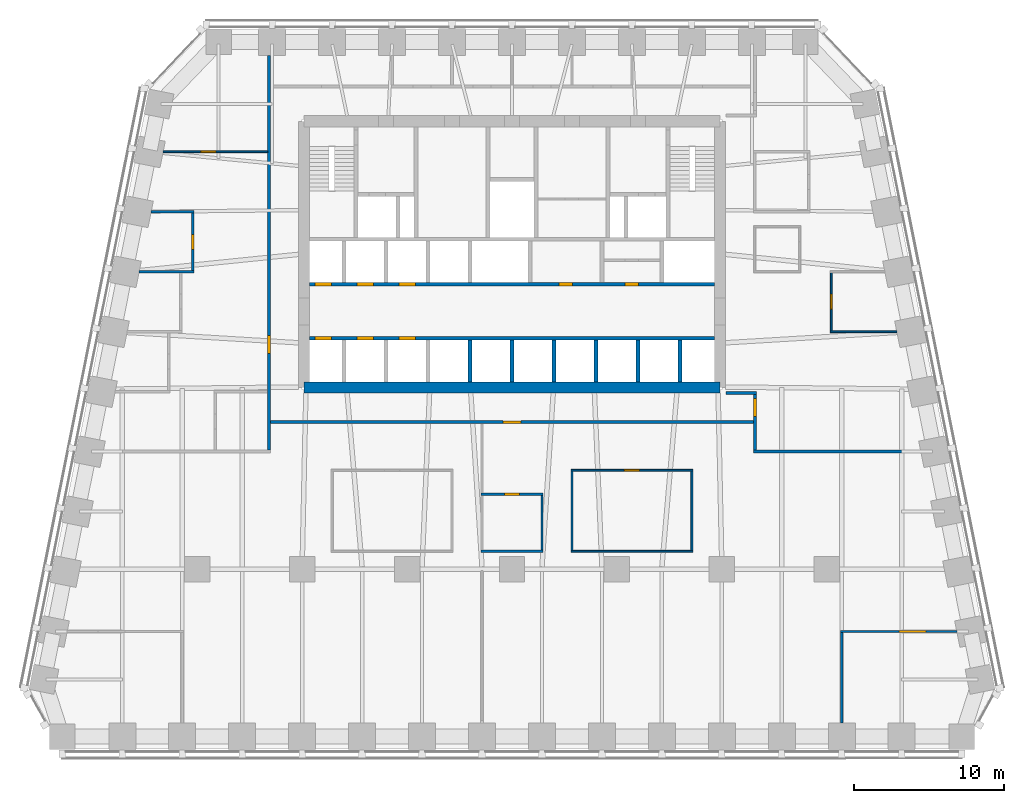
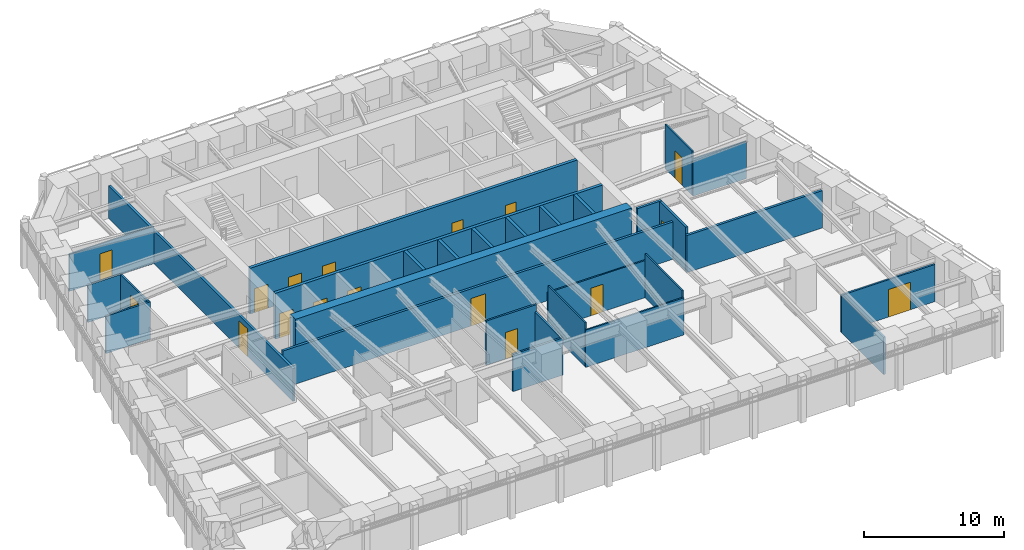
# One storey, part 6 of 10: 29 walls, 17 doors, 17 openings.
"""IFC4 building model written with IfcOpenShell, lengths in metres."""

from ifc_helpers import new_model, si_unit, direction, frame, frame_2d, origin, place, context, subcontext, project, spatial, rectangle, extrude, material, layer, layer_set, type_object, element, fill, save


model = new_model("IFC4")

# Units and contexts
model_context = context("Model", 3, precision=1e-05, world=origin(), true_north=direction((0.0, 1.0)))
body_context = subcontext(model_context, "Body", "Model", "MODEL_VIEW")
ifc_project = project(units=[si_unit("LENGTHUNIT", "METRE"), si_unit("AREAUNIT", "SQUARE_METRE"), si_unit("VOLUMEUNIT", "CUBIC_METRE"), si_unit("PLANEANGLEUNIT", "RADIAN"), si_unit("MASSUNIT", "GRAM", prefix="KILO")], contexts=[model_context])

# Site, building, storey
site_placement = place(None, origin())
site = spatial("IfcSite", under=ifc_project, at=site_placement, CompositionType="ELEMENT")
building_placement = place(site_placement, origin())
building = spatial("IfcBuilding", under=site, at=building_placement, Name="Isbrekke Arena Tower", CompositionType="ELEMENT")
storey_placement = place(building_placement, frame((0.0, 0.0, 119.0)))
storey = spatial("IfcBuildingStorey", under=building, at=storey_placement, Name="L26", CompositionType="ELEMENT", Elevation=119.0)

# Wall
ifc_material_1 = material(Name="Concrete B55 (C55/67)", Category="concrete")
ifc_layer_1 = layer(ifc_material_1, 0.75)
ifc_layer_set_1 = layer_set([ifc_layer_1], Name="CW3 CORE WALL 750")
wall_type_1 = type_object("IfcWallType", Name="CW3 CORE WALL 750", PredefinedType="SHEAR", material=ifc_layer_set_1)
wall_1_placement = place(storey_placement, frame((-13.875, 6.125, 0.0), z_axis=(0.0, 0.0, 1.0), x_axis=(1.0, 0.0, 0.0)))
element("IfcWall", 1, at=wall_1_placement, inside=storey, type_object=wall_type_1, Name="Core wall S L26", PredefinedType="SHEAR", context=body_context, shape_type="SweptSolid", body=[
    extrude(rectangle(XDim=27.75, YDim=0.75, at=frame_2d((13.875, 0.0))), origin(), (0.0, 0.0, 1.0), 4.0),
])

# Wall, openings, doors
ifc_material_2 = material(Name="Concrete B45 (C45/55)", Category="concrete")
ifc_layer_2 = layer(ifc_material_2, 0.25)
ifc_layer_set_2 = layer_set([ifc_layer_2], Name="CW6 SHAFT WALL 250")
wall_type_2 = type_object("IfcWallType", Name="CW6 SHAFT WALL 250", PredefinedType="SHEAR", material=ifc_layer_set_2)
wall_2_placement = place(storey_placement, frame((-13.5, 9.39990234375, 0.0), z_axis=(0.0, 0.0, 1.0), x_axis=(1.0, 0.0, 0.0)))
wall_2 = element("IfcWall", 2, at=wall_2_placement, inside=storey, type_object=wall_type_2, Name="Core wall LS L26", PredefinedType="SHEAR", context=body_context, shape_type="SweptSolid", body=[
    extrude(rectangle(XDim=27.0, YDim=0.25, at=frame_2d((13.5, 0.0))), origin(), (0.0, 0.0, 1.0), 4.0),
])
opening_1_placement = place(wall_2_placement, frame((0.35009765625, 0.0, 0.0)))
opening_1 = element("IfcOpeningElement", 3, at=opening_1_placement, cuts=wall_2, Name="Opening LD1", PredefinedType="OPENING", context=body_context, shape_type="SweptSolid", body=[
    extrude(rectangle(XDim=1.10009765625, YDim=2.10009765625, at=frame_2d((0.550048828125, 1.050048828125))), frame((0.0, 0.139892578125, 0.0), z_axis=(0.0, -1.0, 0.0), x_axis=(1.0, 0.0, 0.0)), (0.0, 0.0, 1.0), 0.27978515625),
])
opening_2_placement = place(wall_2_placement, frame((3.14990234375, 0.0, 0.0)))
opening_2 = element("IfcOpeningElement", 4, at=opening_2_placement, cuts=wall_2, Name="Opening LD1", PredefinedType="OPENING", context=body_context, shape_type="SweptSolid", body=[
    extrude(rectangle(XDim=1.10009765625, YDim=2.10009765625, at=frame_2d((0.550048828125, 1.050048828125))), frame((0.0, 0.139892578125, 0.0), z_axis=(0.0, -1.0, 0.0), x_axis=(1.0, 0.0, 0.0)), (0.0, 0.0, 1.0), 0.27978515625),
])
opening_3_placement = place(wall_2_placement, frame((5.949951171875, 0.0, 0.0)))
opening_3 = element("IfcOpeningElement", 5, at=opening_3_placement, cuts=wall_2, Name="Opening LD1", PredefinedType="OPENING", context=body_context, shape_type="SweptSolid", body=[
    extrude(rectangle(XDim=1.10009765625, YDim=2.10009765625, at=frame_2d((0.550048828125, 1.050048828125))), frame((0.0, 0.139892578125, 0.0), z_axis=(0.0, -1.0, 0.0), x_axis=(1.0, 0.0, 0.0)), (0.0, 0.0, 1.0), 0.27978515625),
])
ifc_material_3 = material(Name="Stainless steel lift landing door", Category="steel")
door_type_1 = type_object("IfcDoorType", Name="LD1 LIFT LANDING DOOR 1100 x 2100", OperationType="SLIDING_TO_LEFT", PredefinedType="DOOR", material=ifc_material_3)
door_1_placement = place(opening_1_placement, origin())
door_1 = element("IfcDoor", 6, at=door_1_placement, inside=storey, type_object=door_type_1, Name="LD1 lift landing door LB L26", OperationType="SLIDING_TO_LEFT", OverallHeight=2.10009765625, OverallWidth=1.10009765625, PredefinedType="DOOR", context=body_context, shape_type="SweptSolid", body=[
    extrude(rectangle(XDim=1.10009765625, YDim=2.10009765625, at=frame_2d((0.550048828125, 1.050048828125))), frame((0.0, 0.124755859375, 0.0), z_axis=(0.0, -1.0, 0.0), x_axis=(1.0, 0.0, 0.0)), (0.0, 0.0, 1.0), 0.24951171875),
])
fill(opening_1, door_1)
door_2_placement = place(opening_2_placement, origin())
door_2 = element("IfcDoor", 7, at=door_2_placement, inside=storey, type_object=door_type_1, Name="LD1 lift landing door LB L26", OperationType="SLIDING_TO_LEFT", OverallHeight=2.10009765625, OverallWidth=1.10009765625, PredefinedType="DOOR", context=body_context, shape_type="SweptSolid", body=[
    extrude(rectangle(XDim=1.10009765625, YDim=2.10009765625, at=frame_2d((0.550048828125, 1.050048828125))), frame((0.0, 0.124755859375, 0.0), z_axis=(0.0, -1.0, 0.0), x_axis=(1.0, 0.0, 0.0)), (0.0, 0.0, 1.0), 0.24951171875),
])
fill(opening_2, door_2)
door_3_placement = place(opening_3_placement, origin())
door_3 = element("IfcDoor", 8, at=door_3_placement, inside=storey, type_object=door_type_1, Name="LD1 lift landing door LB L26", OperationType="SLIDING_TO_LEFT", OverallHeight=2.10009765625, OverallWidth=1.10009765625, PredefinedType="DOOR", context=body_context, shape_type="SweptSolid", body=[
    extrude(rectangle(XDim=1.10009765625, YDim=2.10009765625, at=frame_2d((0.550048828125, 1.050048828125))), frame((0.0, 0.124755859375, 0.0), z_axis=(0.0, -1.0, 0.0), x_axis=(1.0, 0.0, 0.0)), (0.0, 0.0, 1.0), 0.24951171875),
])
fill(opening_3, door_3)

wall_3_placement = place(storey_placement, frame((-13.5, 13.0, 0.0), z_axis=(0.0, 0.0, 1.0), x_axis=(1.0, 0.0, 0.0)))
wall_3 = element("IfcWall", 9, at=wall_3_placement, inside=storey, type_object=wall_type_2, Name="Core wall LN L26", PredefinedType="SHEAR", context=body_context, shape_type="SweptSolid", body=[
    extrude(rectangle(XDim=27.0, YDim=0.25, at=frame_2d((13.5, 0.0))), origin(), (0.0, 0.0, 1.0), 4.0),
])
opening_4_placement = place(wall_3_placement, frame((0.35009765625, 0.0, 0.0)))
opening_4 = element("IfcOpeningElement", 10, at=opening_4_placement, cuts=wall_3, Name="Opening LD1", PredefinedType="OPENING", context=body_context, shape_type="SweptSolid", body=[
    extrude(rectangle(XDim=1.10009765625, YDim=2.10009765625, at=frame_2d((0.550048828125, 1.050048828125))), frame((0.0, 0.139892578125, 0.0), z_axis=(0.0, -1.0, 0.0), x_axis=(1.0, 0.0, 0.0)), (0.0, 0.0, 1.0), 0.27978515625),
])
opening_5_placement = place(wall_3_placement, frame((3.14990234375, 0.0, 0.0)))
opening_5 = element("IfcOpeningElement", 11, at=opening_5_placement, cuts=wall_3, Name="Opening LD1", PredefinedType="OPENING", context=body_context, shape_type="SweptSolid", body=[
    extrude(rectangle(XDim=1.10009765625, YDim=2.10009765625, at=frame_2d((0.550048828125, 1.050048828125))), frame((0.0, 0.139892578125, 0.0), z_axis=(0.0, -1.0, 0.0), x_axis=(1.0, 0.0, 0.0)), (0.0, 0.0, 1.0), 0.27978515625),
])
opening_6_placement = place(wall_3_placement, frame((5.949951171875, 0.0, 0.0)))
opening_6 = element("IfcOpeningElement", 12, at=opening_6_placement, cuts=wall_3, Name="Opening LD1", PredefinedType="OPENING", context=body_context, shape_type="SweptSolid", body=[
    extrude(rectangle(XDim=1.10009765625, YDim=2.10009765625, at=frame_2d((0.550048828125, 1.050048828125))), frame((0.0, 0.139892578125, 0.0), z_axis=(0.0, -1.0, 0.0), x_axis=(1.0, 0.0, 0.0)), (0.0, 0.0, 1.0), 0.27978515625),
])
opening_7_placement = place(wall_3_placement, frame((16.64990234375, 0.0, 0.0)))
opening_7 = element("IfcOpeningElement", 13, at=opening_7_placement, cuts=wall_3, Name="Opening D5", PredefinedType="OPENING", context=body_context, shape_type="SweptSolid", body=[
    extrude(rectangle(XDim=0.89990234375, YDim=2.10009765625, at=frame_2d((0.449951171875, 1.050048828125))), frame((0.0, 0.139892578125, 0.0), z_axis=(0.0, -1.0, 0.0), x_axis=(1.0, 0.0, 0.0)), (0.0, 0.0, 1.0), 0.27978515625),
])
opening_8_placement = place(wall_3_placement, frame((21.050048828125, 0.0, 0.0)))
opening_8 = element("IfcOpeningElement", 14, at=opening_8_placement, cuts=wall_3, Name="Opening D5", PredefinedType="OPENING", context=body_context, shape_type="SweptSolid", body=[
    extrude(rectangle(XDim=0.89990234375, YDim=2.10009765625, at=frame_2d((0.449951171875, 1.050048828125))), frame((0.0, 0.139892578125, 0.0), z_axis=(0.0, -1.0, 0.0), x_axis=(1.0, 0.0, 0.0)), (0.0, 0.0, 1.0), 0.27978515625),
])
ifc_material_4 = material(Name="Steel fire door", Category="steel")
door_type_2 = type_object("IfcDoorType", Name="D5 SERVICE DOOR 900 x 2100", OperationType="SINGLE_SWING_LEFT", PredefinedType="DOOR", material=ifc_material_4)
door_4_placement = place(opening_7_placement, origin())
door_4 = element("IfcDoor", 15, at=door_4_placement, inside=storey, type_object=door_type_2, Name="D5 cleaner's store door L26", OperationType="SINGLE_SWING_LEFT", OverallHeight=2.10009765625, OverallWidth=0.89990234375, PredefinedType="DOOR", context=body_context, shape_type="SweptSolid", body=[
    extrude(rectangle(XDim=0.89990234375, YDim=2.10009765625, at=frame_2d((0.449951171875, 1.050048828125))), frame((0.0, 0.124755859375, 0.0), z_axis=(0.0, -1.0, 0.0), x_axis=(1.0, 0.0, 0.0)), (0.0, 0.0, 1.0), 0.24951171875),
])
fill(opening_7, door_4)
door_5_placement = place(opening_8_placement, origin())
door_5 = element("IfcDoor", 16, at=door_5_placement, inside=storey, type_object=door_type_2, Name="D5 communications room door L26", OperationType="SINGLE_SWING_LEFT", OverallHeight=2.10009765625, OverallWidth=0.89990234375, PredefinedType="DOOR", context=body_context, shape_type="SweptSolid", body=[
    extrude(rectangle(XDim=0.89990234375, YDim=2.10009765625, at=frame_2d((0.449951171875, 1.050048828125))), frame((0.0, 0.124755859375, 0.0), z_axis=(0.0, -1.0, 0.0), x_axis=(1.0, 0.0, 0.0)), (0.0, 0.0, 1.0), 0.24951171875),
])
fill(opening_8, door_5)
door_6_placement = place(opening_4_placement, origin())
door_6 = element("IfcDoor", 17, at=door_6_placement, inside=storey, type_object=door_type_1, Name="LD1 lift landing door LB L26", OperationType="SLIDING_TO_LEFT", OverallHeight=2.10009765625, OverallWidth=1.10009765625, PredefinedType="DOOR", context=body_context, shape_type="SweptSolid", body=[
    extrude(rectangle(XDim=1.10009765625, YDim=2.10009765625, at=frame_2d((0.550048828125, 1.050048828125))), frame((0.0, 0.124755859375, 0.0), z_axis=(0.0, -1.0, 0.0), x_axis=(1.0, 0.0, 0.0)), (0.0, 0.0, 1.0), 0.24951171875),
])
fill(opening_4, door_6)
door_7_placement = place(opening_5_placement, origin())
door_7 = element("IfcDoor", 18, at=door_7_placement, inside=storey, type_object=door_type_1, Name="LD1 lift landing door LB L26", OperationType="SLIDING_TO_LEFT", OverallHeight=2.10009765625, OverallWidth=1.10009765625, PredefinedType="DOOR", context=body_context, shape_type="SweptSolid", body=[
    extrude(rectangle(XDim=1.10009765625, YDim=2.10009765625, at=frame_2d((0.550048828125, 1.050048828125))), frame((0.0, 0.124755859375, 0.0), z_axis=(0.0, -1.0, 0.0), x_axis=(1.0, 0.0, 0.0)), (0.0, 0.0, 1.0), 0.24951171875),
])
fill(opening_5, door_7)
door_8_placement = place(opening_6_placement, origin())
door_8 = element("IfcDoor", 19, at=door_8_placement, inside=storey, type_object=door_type_1, Name="LD1 lift landing door LB L26", OperationType="SLIDING_TO_LEFT", OverallHeight=2.10009765625, OverallWidth=1.10009765625, PredefinedType="DOOR", context=body_context, shape_type="SweptSolid", body=[
    extrude(rectangle(XDim=1.10009765625, YDim=2.10009765625, at=frame_2d((0.550048828125, 1.050048828125))), frame((0.0, 0.124755859375, 0.0), z_axis=(0.0, -1.0, 0.0), x_axis=(1.0, 0.0, 0.0)), (0.0, 0.0, 1.0), 0.24951171875),
])
fill(opening_6, door_8)

# Walls
for number, where, z_axis, x_axis, name in (
    (20, (-2.800048828125, 6.5, 0.0), (0.0, 0.0, 1.0), (0.0, 1.0, 0.0), "Core wall SS04 L26"),
    (21, (0.0, 6.5, 0.0), (0.0, 0.0, 1.0), (0.0, 1.0, 0.0), "Core wall SS05 L26"),
    (22, (2.800048828125, 6.5, 0.0), (0.0, 0.0, 1.0), (0.0, 1.0, 0.0), "Core wall SS06 L26"),
    (23, (5.60009765625, 6.5, 0.0), (0.0, 0.0, 1.0), (0.0, 1.0, 0.0), "Core wall SS07 L26"),
    (24, (8.39990234375, 6.5, 0.0), (0.0, 0.0, 1.0), (0.0, 1.0, 0.0), "Core wall SS08 L26"),
    (25, (11.199951171875, 6.5, 0.0), (0.0, 0.0, 1.0), (0.0, 1.0, 0.0), "Core wall SS09 L26"),
):
    element("IfcWall", number, at=place(storey_placement, frame(where, z_axis=z_axis, x_axis=x_axis)), inside=storey, type_object=wall_type_2, Name=name, PredefinedType="SHEAR", context=body_context, shape_type="SweptSolid", body=[
        extrude(rectangle(XDim=2.77490234375, YDim=0.25, at=frame_2d((1.387451171875, 0.0))), origin(), (0.0, 0.0, 1.0), 4.0),
    ])

# Wall, opening, door
ifc_material_5 = material(Name="Gypsum board partition on steel studs", Category="steel")
ifc_layer_3 = layer(ifc_material_5, 0.14990234375)
ifc_layer_set_3 = layer_set([ifc_layer_3], Name="IW1 PARTITION 150")
wall_type_3 = type_object("IfcWallType", Name="IW1 PARTITION 150", PredefinedType="PARTITIONING", material=ifc_layer_set_3)
wall_4_placement = place(storey_placement, frame((21.925048828125, -10.159912109375, 0.0), z_axis=(0.0, 0.0, 1.0), x_axis=(1.0, 0.0, 0.0)))
wall_4 = element("IfcWall", 26, at=wall_4_placement, inside=storey, type_object=wall_type_3, Name="IW1 partition 150 L26", PredefinedType="PARTITIONING", context=body_context, shape_type="SweptSolid", body=[
    extrude(rectangle(XDim=7.747802734375, YDim=0.14990234375, at=frame_2d((3.8740234375, 0.0))), origin(), (0.0, 0.0, 1.0), 3.25),
])
opening_9_placement = place(wall_4_placement, frame((3.90673828125, 0.0, 0.0)))
opening_9 = element("IfcOpeningElement", 27, at=opening_9_placement, cuts=wall_4, Name="Opening D13", PredefinedType="OPENING", context=body_context, shape_type="SweptSolid", body=[
    extrude(rectangle(XDim=1.800048828125, YDim=2.39990234375, at=frame_2d((0.89990234375, 1.199951171875))), frame((0.0, 0.08984375, 0.0), z_axis=(0.0, -1.0, 0.0), x_axis=(1.0, 0.0, 0.0)), (0.0, 0.0, 1.0), 0.1796875),
])
ifc_material_6 = material(Name="Timber door pair", Category="wood")
door_type_3 = type_object("IfcDoorType", Name="D13 DOUBLE ROOM DOOR 1800 x 2400", OperationType="DOUBLE_DOOR_SINGLE_SWING", PredefinedType="DOOR", material=ifc_material_6)
door_9_placement = place(opening_9_placement, origin())
door_9 = element("IfcDoor", 28, at=door_9_placement, inside=storey, type_object=door_type_3, Name="D13 office door L26", OperationType="DOUBLE_DOOR_SINGLE_SWING", OverallHeight=2.39990234375, OverallWidth=1.800048828125, PredefinedType="DOOR", context=body_context, shape_type="SweptSolid", body=[
    extrude(rectangle(XDim=1.800048828125, YDim=2.39990234375, at=frame_2d((0.89990234375, 1.199951171875))), frame((0.0, 0.07470703125, 0.0), z_axis=(0.0, -1.0, 0.0), x_axis=(1.0, 0.0, 0.0)), (0.0, 0.0, 1.0), 0.1494140625),
])
fill(opening_9, door_9)

# Wall
wall_5_placement = place(storey_placement, frame((-2.074951171875, -4.800048828125, 0.0), z_axis=(0.0, 0.0, 1.0), x_axis=(1.0, 0.0, 0.0)))
element("IfcWall", 29, at=wall_5_placement, inside=storey, type_object=wall_type_3, Name="IW1 partition 150 L26", PredefinedType="PARTITIONING", context=body_context, shape_type="SweptSolid", body=[
    extrude(rectangle(XDim=4.14990234375, YDim=0.14990234375, at=frame_2d((2.074951171875, 0.0))), origin(), (0.0, 0.0, 1.0), 3.25),
])

# Wall, opening, door
wall_6_placement = place(storey_placement, frame((-2.074951171875, -1.0, 0.0), z_axis=(0.0, 0.0, 1.0), x_axis=(1.0, 0.0, 0.0)))
wall_6 = element("IfcWall", 30, at=wall_6_placement, inside=storey, type_object=wall_type_3, Name="IW1 partition 150 L26", PredefinedType="PARTITIONING", context=body_context, shape_type="SweptSolid", body=[
    extrude(rectangle(XDim=4.14990234375, YDim=0.14990234375, at=frame_2d((2.074951171875, 0.0))), origin(), (0.0, 0.0, 1.0), 3.85009765625),
])
opening_10_placement = place(wall_6_placement, frame((1.574951171875, 0.0, 0.0)))
opening_10 = element("IfcOpeningElement", 31, at=opening_10_placement, cuts=wall_6, Name="Opening D10", PredefinedType="OPENING", context=body_context, shape_type="SweptSolid", body=[
    extrude(rectangle(XDim=1.0, YDim=2.300048828125, at=frame_2d((0.5, 1.14990234375))), frame((0.0, 0.08984375, 0.0), z_axis=(0.0, -1.0, 0.0), x_axis=(1.0, 0.0, 0.0)), (0.0, 0.0, 1.0), 0.1796875),
])
ifc_material_7 = material(Name="Timber door", Category="wood")
door_type_4 = type_object("IfcDoorType", Name="D10 OFFICE DOOR 1000 x 2300", OperationType="SINGLE_SWING_LEFT", PredefinedType="DOOR", material=ifc_material_7)
door_10_placement = place(opening_10_placement, origin())
door_10 = element("IfcDoor", 32, at=door_10_placement, inside=storey, type_object=door_type_4, Name="D10 pantry door L26", OperationType="SINGLE_SWING_LEFT", OverallHeight=2.300048828125, OverallWidth=1.0, PredefinedType="DOOR", context=body_context, shape_type="SweptSolid", body=[
    extrude(rectangle(XDim=1.0, YDim=2.300048828125, at=frame_2d((0.5, 1.14990234375))), frame((0.0, 0.07470703125, 0.0), z_axis=(0.0, -1.0, 0.0), x_axis=(1.0, 0.0, 0.0)), (0.0, 0.0, 1.0), 0.1494140625),
])
fill(opening_10, door_10)

# Walls
wall_7_placement = place(storey_placement, frame((-24.872802734375, 13.840087890625, 0.0), z_axis=(0.0, 0.0, 1.0), x_axis=(1.0, 0.0, 0.0)))
element("IfcWall", 33, at=wall_7_placement, inside=storey, type_object=wall_type_3, Name="IW1 partition 150 L26", PredefinedType="PARTITIONING", context=body_context, shape_type="SweptSolid", body=[
    extrude(rectangle(XDim=3.647705078125, YDim=0.14990234375, at=frame_2d((1.82373046875, 0.0))), origin(), (0.0, 0.0, 1.0), 3.25),
])
wall_8_placement = place(storey_placement, frame((-24.07275390625, 17.840087890625, 0.0), z_axis=(0.0, 0.0, 1.0), x_axis=(1.0, 0.0, 0.0)))
element("IfcWall", 34, at=wall_8_placement, inside=storey, type_object=wall_type_3, Name="IW1 partition 150 L26", PredefinedType="PARTITIONING", context=body_context, shape_type="SweptSolid", body=[
    extrude(rectangle(XDim=2.84765625, YDim=0.14990234375, at=frame_2d((1.423828125, 0.0))), origin(), (0.0, 0.0, 1.0), 3.25),
])

# Wall, opening, door
wall_9_placement = place(storey_placement, frame((-21.300048828125, 13.9150390625, 0.0), z_axis=(0.0, 0.0, 1.0), x_axis=(0.0, 1.0, 0.0)))
wall_9 = element("IfcWall", 35, at=wall_9_placement, inside=storey, type_object=wall_type_3, Name="IW1 partition 150 L26", PredefinedType="PARTITIONING", context=body_context, shape_type="SweptSolid", body=[
    extrude(rectangle(XDim=3.849853515625, YDim=0.14990234375, at=frame_2d((1.9248046875, 0.0))), origin(), (0.0, 0.0, 1.0), 3.25),
])
opening_11_placement = place(wall_9_placement, frame((1.425048828125, 0.0, 0.0)))
opening_11 = element("IfcOpeningElement", 36, at=opening_11_placement, cuts=wall_9, Name="Opening D10", PredefinedType="OPENING", context=body_context, shape_type="SweptSolid", body=[
    extrude(rectangle(XDim=1.0, YDim=2.300048828125, at=frame_2d((0.5, 1.14990234375))), frame((0.0, 0.08984375, 0.0), z_axis=(0.0, -1.0, 0.0), x_axis=(1.0, 0.0, 0.0)), (0.0, 0.0, 1.0), 0.1796875),
])
door_11_placement = place(opening_11_placement, origin())
door_11 = element("IfcDoor", 37, at=door_11_placement, inside=storey, type_object=door_type_4, Name="D10 office door L26", OperationType="SINGLE_SWING_LEFT", OverallHeight=2.300048828125, OverallWidth=1.0, PredefinedType="DOOR", context=body_context, shape_type="SweptSolid", body=[
    extrude(rectangle(XDim=1.0, YDim=2.300048828125, at=frame_2d((0.5, 1.14990234375))), frame((0.0, 0.07470703125, 0.0), z_axis=(0.0, -1.0, 0.0), x_axis=(1.0, 0.0, 0.0)), (0.0, 0.0, 1.0), 0.1494140625),
])
fill(opening_11, door_11)

# Walls
wall_10_placement = place(storey_placement, frame((2.0, -4.72509765625, 0.0), z_axis=(0.0, 0.0, 1.0), x_axis=(0.0, 1.0, 0.0)))
element("IfcWall", 38, at=wall_10_placement, inside=storey, type_object=wall_type_3, Name="IW1 partition 150 L26", PredefinedType="PARTITIONING", context=body_context, shape_type="SweptSolid", body=[
    extrude(rectangle(XDim=3.650146484375, YDim=0.14990234375, at=frame_2d((1.8251953125, 0.0))), origin(), (0.0, 0.0, 1.0), 3.25),
])
wall_11_placement = place(storey_placement, frame((22.0, -16.27490234375, 0.0), z_axis=(0.0, 0.0, 1.0), x_axis=(0.0, 1.0, 0.0)))
element("IfcWall", 39, at=wall_11_placement, inside=storey, type_object=wall_type_3, Name="IW1 partition 150 L26", PredefinedType="PARTITIONING", context=body_context, shape_type="SweptSolid", body=[
    extrude(rectangle(XDim=6.039794921875, YDim=0.14990234375, at=frame_2d((3.02001953125, 0.0))), origin(), (0.0, 0.0, 1.0), 3.25),
])
ifc_material_8 = material(Name="Frameless glazed partition, laminated acoustic glass", Category="glass")
ifc_layer_4 = layer(ifc_material_8, 0.1201171875)
ifc_layer_set_4 = layer_set([ifc_layer_4], Name="IW2 GLAZED PARTITION 120")
wall_type_4 = type_object("IfcWallType", Name="IW2 GLAZED PARTITION 120", PredefinedType="PARTITIONING", material=ifc_layer_set_4)
wall_12_placement = place(storey_placement, frame((3.93994140625, -4.800048828125, 0.0), z_axis=(0.0, 0.0, 1.0), x_axis=(1.0, 0.0, 0.0)))
element("IfcWall", 40, at=wall_12_placement, inside=storey, type_object=wall_type_4, Name="IW2 glazed partition 120 L26", PredefinedType="PARTITIONING", context=body_context, shape_type="SweptSolid", body=[
    extrude(rectangle(XDim=8.1201171875, YDim=0.1201171875, at=frame_2d((4.06005859375, 0.0))), origin(), (0.0, 0.0, 1.0), 3.25),
])

# Wall, opening, door
wall_13_placement = place(storey_placement, frame((3.93994140625, 0.60009765625, 0.0), z_axis=(0.0, 0.0, 1.0), x_axis=(1.0, 0.0, 0.0)))
wall_13 = element("IfcWall", 41, at=wall_13_placement, inside=storey, type_object=wall_type_4, Name="IW2 glazed partition 120 L26", PredefinedType="PARTITIONING", context=body_context, shape_type="SweptSolid", body=[
    extrude(rectangle(XDim=8.1201171875, YDim=0.1201171875, at=frame_2d((4.06005859375, 0.0))), origin(), (0.0, 0.0, 1.0), 3.25),
])
opening_12_placement = place(wall_13_placement, frame((3.56005859375, 0.0, 0.0)))
opening_12 = element("IfcOpeningElement", 42, at=opening_12_placement, cuts=wall_13, Name="Opening D11", PredefinedType="OPENING", context=body_context, shape_type="SweptSolid", body=[
    extrude(rectangle(XDim=1.0, YDim=2.39990234375, at=frame_2d((0.5, 1.199951171875))), frame((0.0, 0.074951171875, 0.0), z_axis=(0.0, -1.0, 0.0), x_axis=(1.0, 0.0, 0.0)), (0.0, 0.0, 1.0), 0.14990234375),
])
ifc_material_9 = material(Name="Frameless glazed door", Category="glass")
door_type_5 = type_object("IfcDoorType", Name="D11 GLAZED MEETING ROOM DOOR 1000 x 2400", OperationType="SINGLE_SWING_RIGHT", PredefinedType="DOOR", material=ifc_material_9)
door_12_placement = place(opening_12_placement, origin())
door_12 = element("IfcDoor", 43, at=door_12_placement, inside=storey, type_object=door_type_5, Name="D11 meeting room door L26", OperationType="SINGLE_SWING_RIGHT", OverallHeight=2.39990234375, OverallWidth=1.0, PredefinedType="DOOR", context=body_context, shape_type="SweptSolid", body=[
    extrude(rectangle(XDim=1.0, YDim=2.39990234375, at=frame_2d((0.5, 1.199951171875))), frame((0.0, 0.059814453125, 0.0), z_axis=(0.0, -1.0, 0.0), x_axis=(1.0, 0.0, 0.0)), (0.0, 0.0, 1.0), 0.11962890625),
])
fill(opening_12, door_12)

# Wall
wall_14_placement = place(storey_placement, frame((21.239990234375, 9.840087890625, 0.0), z_axis=(0.0, 0.0, 1.0), x_axis=(1.0, 0.0, 0.0)))
element("IfcWall", 44, at=wall_14_placement, inside=storey, type_object=wall_type_4, Name="IW2 glazed partition 120 L26", PredefinedType="PARTITIONING", context=body_context, shape_type="SweptSolid", body=[
    extrude(rectangle(XDim=4.432861328125, YDim=0.1201171875, at=frame_2d((2.21630859375, 0.0))), origin(), (0.0, 0.0, 1.0), 3.25),
])

# Wall, opening, door
wall_15_placement = place(storey_placement, frame((-23.272705078125, 21.840087890625, 0.0), z_axis=(0.0, 0.0, 1.0), x_axis=(1.0, 0.0, 0.0)))
wall_15 = element("IfcWall", 45, at=wall_15_placement, inside=storey, type_object=wall_type_4, Name="IW2 glazed partition 120 L26", PredefinedType="PARTITIONING", context=body_context, shape_type="SweptSolid", body=[
    extrude(rectangle(XDim=6.97265625, YDim=0.1201171875, at=frame_2d((3.486328125, 0.0))), origin(), (0.0, 0.0, 1.0), 3.25),
])
opening_13_placement = place(wall_15_placement, frame((2.513671875, 0.0, 0.0)))
opening_13 = element("IfcOpeningElement", 46, at=opening_13_placement, cuts=wall_15, Name="Opening D11", PredefinedType="OPENING", context=body_context, shape_type="SweptSolid", body=[
    extrude(rectangle(XDim=1.0, YDim=2.39990234375, at=frame_2d((0.5, 1.199951171875))), frame((0.0, 0.074951171875, 0.0), z_axis=(0.0, -1.0, 0.0), x_axis=(1.0, 0.0, 0.0)), (0.0, 0.0, 1.0), 0.14990234375),
])
door_13_placement = place(opening_13_placement, origin())
door_13 = element("IfcDoor", 47, at=door_13_placement, inside=storey, type_object=door_type_5, Name="D11 meeting room door L26", OperationType="SINGLE_SWING_RIGHT", OverallHeight=2.39990234375, OverallWidth=1.0, PredefinedType="DOOR", context=body_context, shape_type="SweptSolid", body=[
    extrude(rectangle(XDim=1.0, YDim=2.39990234375, at=frame_2d((0.5, 1.199951171875))), frame((0.0, 0.059814453125, 0.0), z_axis=(0.0, -1.0, 0.0), x_axis=(1.0, 0.0, 0.0)), (0.0, 0.0, 1.0), 0.11962890625),
])
fill(opening_13, door_13)

# Walls
for number, where, z_axis, x_axis, name in (
    (48, (4.0, -4.739990234375, 0.0), (0.0, 0.0, 1.0), (0.0, 1.0, 0.0), "IW2 glazed partition 120 L26"),
    (49, (12.0, -4.739990234375, 0.0), (0.0, 0.0, 1.0), (0.0, 1.0, 0.0), "IW2 glazed partition 120 L26"),
):
    element("IfcWall", number, at=place(storey_placement, frame(where, z_axis=z_axis, x_axis=x_axis)), inside=storey, type_object=wall_type_4, Name=name, PredefinedType="PARTITIONING", context=body_context, shape_type="SweptSolid", body=[
        extrude(rectangle(XDim=5.280029296875, YDim=0.1201171875, at=frame_2d((2.64013671875, 0.0))), origin(), (0.0, 0.0, 1.0), 3.85009765625),
    ])

# Wall, opening, door
wall_16_placement = place(storey_placement, frame((21.300048828125, 9.89990234375, 0.0), z_axis=(0.0, 0.0, 1.0), x_axis=(0.0, 1.0, 0.0)))
wall_16 = element("IfcWall", 50, at=wall_16_placement, inside=storey, type_object=wall_type_4, Name="IW2 glazed partition 120 L26", PredefinedType="PARTITIONING", context=body_context, shape_type="SweptSolid", body=[
    extrude(rectangle(XDim=3.880126953125, YDim=0.1201171875, at=frame_2d((1.93994140625, 0.0))), origin(), (0.0, 0.0, 1.0), 3.85009765625),
])
opening_14_placement = place(wall_16_placement, frame((1.43994140625, 0.0, 0.0)))
opening_14 = element("IfcOpeningElement", 51, at=opening_14_placement, cuts=wall_16, Name="Opening D11", PredefinedType="OPENING", context=body_context, shape_type="SweptSolid", body=[
    extrude(rectangle(XDim=1.0, YDim=2.39990234375, at=frame_2d((0.5, 1.199951171875))), frame((0.0, 0.074951171875, 0.0), z_axis=(0.0, -1.0, 0.0), x_axis=(1.0, 0.0, 0.0)), (0.0, 0.0, 1.0), 0.14990234375),
])
door_14_placement = place(opening_14_placement, origin())
door_14 = element("IfcDoor", 52, at=door_14_placement, inside=storey, type_object=door_type_5, Name="D11 meeting room door L26", OperationType="SINGLE_SWING_RIGHT", OverallHeight=2.39990234375, OverallWidth=1.0, PredefinedType="DOOR", context=body_context, shape_type="SweptSolid", body=[
    extrude(rectangle(XDim=1.0, YDim=2.39990234375, at=frame_2d((0.5, 1.199951171875))), frame((0.0, 0.059814453125, 0.0), z_axis=(0.0, -1.0, 0.0), x_axis=(1.0, 0.0, 0.0)), (0.0, 0.0, 1.0), 0.11962890625),
])
fill(opening_14, door_14)

# Wall
ifc_material_10 = material(Name="Gypsum board fire-cell wall on steel studs, two layers each side", Category="steel")
ifc_layer_5 = layer(ifc_material_10, 0.199951171875)
ifc_layer_set_5 = layer_set([ifc_layer_5], Name="IW3 FIRE-CELL WALL 200")
wall_type_5 = type_object("IfcWallType", Name="IW3 FIRE-CELL WALL 200", PredefinedType="PARTITIONING", material=ifc_layer_set_5)
wall_17_placement = place(storey_placement, frame((16.10009765625, 1.840087890625, 0.0), z_axis=(0.0, 0.0, 1.0), x_axis=(1.0, 0.0, 0.0)))
element("IfcWall", 53, at=wall_17_placement, inside=storey, type_object=wall_type_5, Name="IW3 fire-cell wall 200 L26", PredefinedType="PARTITIONING", context=body_context, shape_type="SweptSolid", body=[
    extrude(rectangle(XDim=11.172607421875, YDim=0.199951171875, at=frame_2d((5.58642578125, 0.0))), origin(), (0.0, 0.0, 1.0), 3.25),
])

# Wall, opening, door
wall_18_placement = place(storey_placement, frame((-16.10009765625, 3.800048828125, 0.0), z_axis=(0.0, 0.0, 1.0), x_axis=(1.0, 0.0, 0.0)))
wall_18 = element("IfcWall", 54, at=wall_18_placement, inside=storey, type_object=wall_type_5, Name="IW3 fire-cell wall 200 L26", PredefinedType="PARTITIONING", context=body_context, shape_type="SweptSolid", body=[
    extrude(rectangle(XDim=32.2001953125, YDim=0.199951171875, at=frame_2d((16.10009765625, 0.0))), origin(), (0.0, 0.0, 1.0), 3.25),
])
opening_15_placement = place(wall_18_placement, frame((15.5, 0.0, 0.0)))
opening_15 = element("IfcOpeningElement", 55, at=opening_15_placement, cuts=wall_18, Name="Opening D12", PredefinedType="OPENING", context=body_context, shape_type="SweptSolid", body=[
    extrude(rectangle(XDim=1.199951171875, YDim=2.39990234375, at=frame_2d((0.60009765625, 1.199951171875))), frame((0.0, 0.11474609375, 0.0), z_axis=(0.0, -1.0, 0.0), x_axis=(1.0, 0.0, 0.0)), (0.0, 0.0, 1.0), 0.229736328125),
])
ifc_material_11 = material(Name="Timber fire door with vision panel", Category="wood")
door_type_6 = type_object("IfcDoorType", Name="D12 SUITE ENTRANCE DOOR 1200 x 2400", OperationType="SINGLE_SWING_LEFT", PredefinedType="DOOR", material=ifc_material_11)
door_15_placement = place(opening_15_placement, origin())
door_15 = element("IfcDoor", 56, at=door_15_placement, inside=storey, type_object=door_type_6, Name="D12 suite entrance S door L26", OperationType="SINGLE_SWING_LEFT", OverallHeight=2.39990234375, OverallWidth=1.199951171875, PredefinedType="DOOR", context=body_context, shape_type="SweptSolid", body=[
    extrude(rectangle(XDim=1.199951171875, YDim=2.39990234375, at=frame_2d((0.60009765625, 1.199951171875))), frame((0.0, 0.099609375, 0.0), z_axis=(0.0, -1.0, 0.0), x_axis=(1.0, 0.0, 0.0)), (0.0, 0.0, 1.0), 0.199462890625),
])
fill(opening_15, door_15)

# Wall
wall_19_placement = place(storey_placement, frame((14.280029296875, 5.75, 0.0), z_axis=(0.0, 0.0, 1.0), x_axis=(1.0, 0.0, 0.0)))
element("IfcWall", 57, at=wall_19_placement, inside=storey, type_object=wall_type_5, Name="IW3 fire-cell wall 200 L26", PredefinedType="PARTITIONING", context=body_context, shape_type="SweptSolid", body=[
    extrude(rectangle(XDim=2.02001953125, YDim=0.199951171875, at=frame_2d((1.010009765625, 0.0))), origin(), (0.0, 0.0, 1.0), 3.85009765625),
])

# Wall, opening, door
wall_20_placement = place(storey_placement, frame((-16.199951171875, 1.93994140625, 0.0), z_axis=(0.0, 0.0, 1.0), x_axis=(0.0, 1.0, 0.0)))
wall_20 = element("IfcWall", 58, at=wall_20_placement, inside=storey, type_object=wall_type_5, Name="IW3 fire-cell wall 200 L26", PredefinedType="PARTITIONING", context=body_context, shape_type="SweptSolid", body=[
    extrude(rectangle(XDim=26.3349609375, YDim=0.199951171875, at=frame_2d((13.16748046875, 0.0))), origin(), (0.0, 0.0, 1.0), 2.842041015625),
])
opening_16_placement = place(wall_20_placement, frame((6.4599609375, 0.0, 0.0)))
opening_16 = element("IfcOpeningElement", 59, at=opening_16_placement, cuts=wall_20, Name="Opening D12", PredefinedType="OPENING", context=body_context, shape_type="SweptSolid", body=[
    extrude(rectangle(XDim=1.199951171875, YDim=2.39990234375, at=frame_2d((0.60009765625, 1.199951171875))), frame((0.0, 0.11474609375, 0.0), z_axis=(0.0, -1.0, 0.0), x_axis=(1.0, 0.0, 0.0)), (0.0, 0.0, 1.0), 0.229736328125),
])
door_16_placement = place(opening_16_placement, origin())
door_16 = element("IfcDoor", 60, at=door_16_placement, inside=storey, type_object=door_type_6, Name="D12 suite entrance W door L26", OperationType="SINGLE_SWING_LEFT", OverallHeight=2.39990234375, OverallWidth=1.199951171875, PredefinedType="DOOR", context=body_context, shape_type="SweptSolid", body=[
    extrude(rectangle(XDim=1.199951171875, YDim=2.39990234375, at=frame_2d((0.60009765625, 1.199951171875))), frame((0.0, 0.099609375, 0.0), z_axis=(0.0, -1.0, 0.0), x_axis=(1.0, 0.0, 0.0)), (0.0, 0.0, 1.0), 0.199462890625),
])
fill(opening_16, door_16)

wall_21_placement = place(storey_placement, frame((16.199951171875, 1.93994140625, 0.0), z_axis=(0.0, 0.0, 1.0), x_axis=(0.0, 1.0, 0.0)))
wall_21 = element("IfcWall", 61, at=wall_21_placement, inside=storey, type_object=wall_type_5, Name="IW3 fire-cell wall 200 L26", PredefinedType="PARTITIONING", context=body_context, shape_type="SweptSolid", body=[
    extrude(rectangle(XDim=3.7099609375, YDim=0.199951171875, at=frame_2d((1.85498046875, 0.0))), origin(), (0.0, 0.0, 1.0), 3.85009765625),
])
opening_17_placement = place(wall_21_placement, frame((2.239990234375, 0.0, 0.0)))
opening_17 = element("IfcOpeningElement", 62, at=opening_17_placement, cuts=wall_21, Name="Opening D12", PredefinedType="OPENING", context=body_context, shape_type="SweptSolid", body=[
    extrude(rectangle(XDim=1.199951171875, YDim=2.39990234375, at=frame_2d((0.60009765625, 1.199951171875))), frame((0.0, 0.11474609375, 0.0), z_axis=(0.0, -1.0, 0.0), x_axis=(1.0, 0.0, 0.0)), (0.0, 0.0, 1.0), 0.229736328125),
])
door_17_placement = place(opening_17_placement, origin())
door_17 = element("IfcDoor", 63, at=door_17_placement, inside=storey, type_object=door_type_6, Name="D12 suite entrance E door L26", OperationType="SINGLE_SWING_LEFT", OverallHeight=2.39990234375, OverallWidth=1.199951171875, PredefinedType="DOOR", context=body_context, shape_type="SweptSolid", body=[
    extrude(rectangle(XDim=1.199951171875, YDim=2.39990234375, at=frame_2d((0.60009765625, 1.199951171875))), frame((0.0, 0.099609375, 0.0), z_axis=(0.0, -1.0, 0.0), x_axis=(1.0, 0.0, 0.0)), (0.0, 0.0, 1.0), 0.199462890625),
])
fill(opening_17, door_17)

save(model, "model.ifc")
